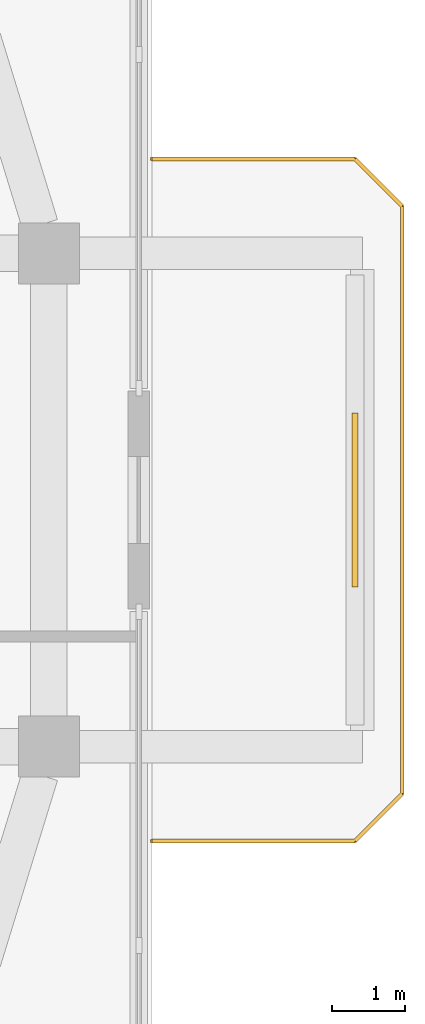
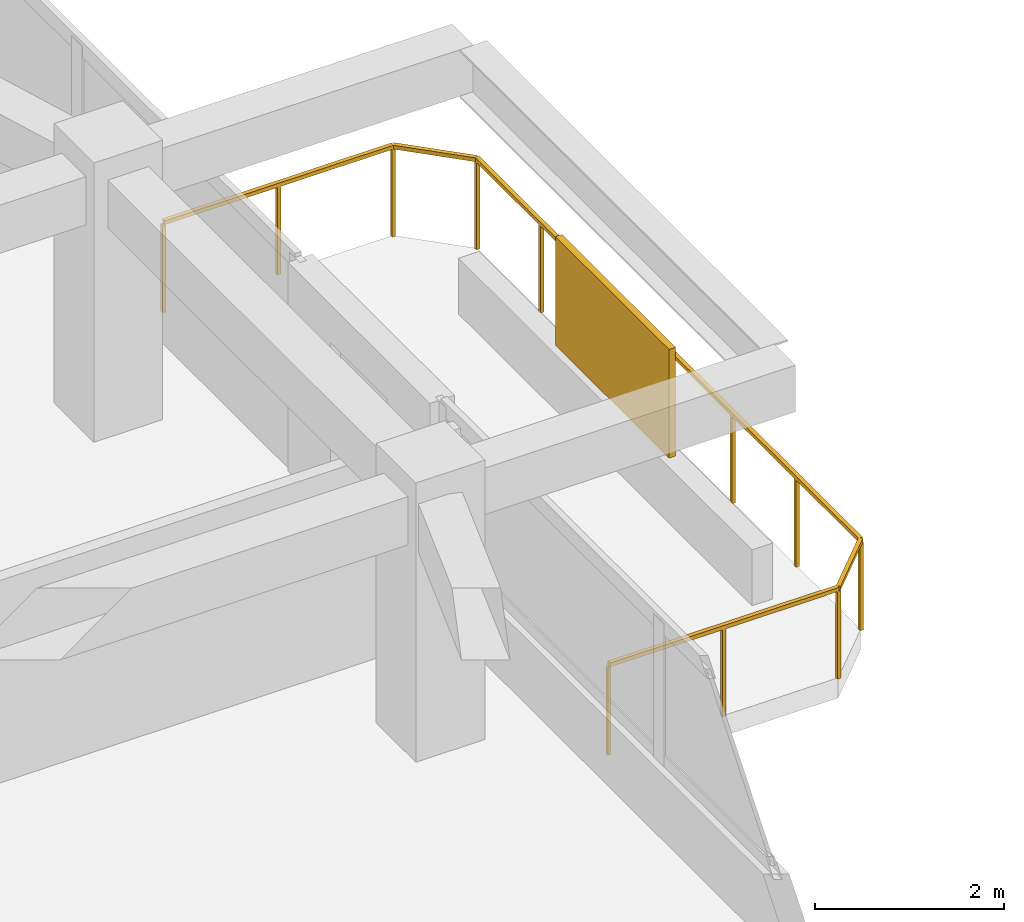
# One storey, part 14 of 14: 1 railing, 1 shading device.
"""IFC4 building model written with IfcOpenShell, lengths in metres."""

import ifcopenshell
import ifcopenshell.guid

model = None  # the IFC model being written
_history = None  # IfcOwnerHistory: only IFC2X3 demands one
_inside = {}  # id of a spatial element -> (the spatial element, [elements in it])
_under = {}  # id of a project, library or spatial element -> (it, [spatial elements below it])
_declared = {}  # id of a project -> (the project, [libraries it declares])
_typed = {}  # id of a type object -> (the type object, [elements of that type])
_made_of = {}  # id of a material, layer set ... -> (it, [elements and type objects made of it])


def new_model(schema):
    """Start an empty IFC model of exactly this schema.

    Asked for "IFC4X3", IfcOpenShell would pick the latest addendum, in which some entities
    have other attributes; the version numbers below select the first issue.
    IFC2X3 requires an IfcOwnerHistory on every rooted entity: one is made here for all.
    """
    global model, _history
    if schema == "IFC4X3":
        model = ifcopenshell.file(schema_version=(4, 3, 0, 0))
    else:
        model = ifcopenshell.file(schema=schema)
    _inside.clear()
    _under.clear()
    _declared.clear()
    _typed.clear()
    _made_of.clear()
    _history = None
    if model.schema == "IFC2X3":
        org = make("IfcOrganization", Name="unknown")
        user = make(
            "IfcPersonAndOrganization",
            ThePerson=make("IfcPerson", FamilyName="unknown"),
            TheOrganization=org,
        )
        app = make(
            "IfcApplication",
            ApplicationDeveloper=org,
            Version="unknown",
            ApplicationFullName="unknown",
            ApplicationIdentifier="unknown",
        )
        _history = make(
            "IfcOwnerHistory",
            OwningUser=user,
            OwningApplication=app,
            ChangeAction="ADDED",
            CreationDate=0,
        )
    return model


def make(cls, **values):
    """One entity of the class cls with the attributes given. An attribute that is None is left unset."""
    return model.create_entity(
        cls, **{name: value for name, value in values.items() if value is not None}
    )


def rooted(cls, **values):
    """An entity with a GlobalId (a new one), such as an element, a storey or a relation."""
    return make(cls, GlobalId=ifcopenshell.guid.new(), OwnerHistory=_history, **values)


def si_unit(unit_type, name, prefix=None):
    """IfcSIUnit, for example si_unit("LENGTHUNIT", "METRE", prefix="MILLI")."""
    return make("IfcSIUnit", UnitType=unit_type, Prefix=prefix, Name=name)


def derived_unit(unit_type, elements):
    """IfcDerivedUnit: a product of units, each with its exponent."""
    return make(
        "IfcDerivedUnit",
        Elements=[
            make("IfcDerivedUnitElement", Unit=unit, Exponent=power)
            for unit, power in elements
        ],
        UnitType=unit_type,
    )


def assignment(units):
    """IfcUnitAssignment: the units of a project."""
    return None if units is None else make("IfcUnitAssignment", Units=units)


def point(xyz):
    """IfcCartesianPoint."""
    return None if xyz is None else make("IfcCartesianPoint", Coordinates=xyz)


def direction(xyz):
    """IfcDirection."""
    return None if xyz is None else make("IfcDirection", DirectionRatios=xyz)


def frame(location, z_axis=None, x_axis=None):
    """IfcAxis2Placement3D, a coordinate frame: its origin and axes. An axis left out is left unset."""
    return make(
        "IfcAxis2Placement3D",
        Location=point(location),
        Axis=direction(z_axis),
        RefDirection=direction(x_axis),
    )


def frame_2d(location, x_axis=None):
    """IfcAxis2Placement2D, a coordinate frame in the plane: its origin and x axis."""
    return make(
        "IfcAxis2Placement2D", Location=point(location), RefDirection=direction(x_axis)
    )


def origin():
    """The frame at (0, 0, 0) with its axes left unset."""
    return frame((0.0, 0.0, 0.0))


def origin_2d():
    """The frame at (0, 0) in the plane with its x axis left unset."""
    return frame_2d((0.0, 0.0))


def place(relative_to, where):
    """IfcLocalPlacement: puts the frame where relative to a parent placement (None: the world)."""
    return make(
        "IfcLocalPlacement", PlacementRelTo=relative_to, RelativePlacement=where
    )


def context(
    kind, dimensions, precision=None, world=None, true_north=None, identifier=None
):
    """IfcGeometricRepresentationContext, for example the 3D "Model" context."""
    return make(
        "IfcGeometricRepresentationContext",
        ContextIdentifier=identifier,
        ContextType=kind,
        CoordinateSpaceDimension=dimensions,
        Precision=precision,
        WorldCoordinateSystem=world,
        TrueNorth=true_north,
    )


def subcontext(parent, identifier, kind, view, scale=None):
    """IfcGeometricRepresentationSubContext, for example "Body" below "Model"."""
    return make(
        "IfcGeometricRepresentationSubContext",
        ContextIdentifier=identifier,
        ContextType=kind,
        ParentContext=parent,
        TargetScale=scale,
        TargetView=view,
    )


def project(units=None, contexts=None):
    """IfcProject with its units and contexts."""
    return rooted(
        "IfcProject",
        Name="project",
        RepresentationContexts=contexts,
        UnitsInContext=assignment(units),
    )


def spatial(cls, under=None, at=None, **own):
    """A site, building, storey or space (cls), placed at a placement, below another one or the project."""
    s = rooted(cls, ObjectPlacement=at, **own)
    if under is not None:
        _under.setdefault(under.id(), (under, []))[1].append(s)
    return s


def profile(cls, at=None, kind="AREA", **sizes):
    """A parametric profile (cls). Its sizes go by their IFC names, for example OverallWidth=200.0."""
    return make(cls, ProfileType=kind, Position=at, **sizes)


def rectangle(**sizes):
    """IfcRectangleProfileDef."""
    return profile("IfcRectangleProfileDef", **sizes)


def extrude(swept, where, along, depth):
    """IfcExtrudedAreaSolid: the profile swept, set in the frame where, extruded along a direction by depth."""
    return make(
        "IfcExtrudedAreaSolid",
        SweptArea=swept,
        Position=where,
        ExtrudedDirection=direction(along),
        Depth=depth,
    )


def shape(context_of_items, identifier, shape_type, items):
    """IfcShapeRepresentation: the items that make up one representation, for example the "Body"."""
    return make(
        "IfcShapeRepresentation",
        ContextOfItems=context_of_items,
        RepresentationIdentifier=identifier,
        RepresentationType=shape_type,
        Items=items,
    )


def material(Name=None, Category=None):
    """IfcMaterial."""
    return make("IfcMaterial", Name=Name, Category=Category)


def layer(
    of_material, thickness, ventilated=None, Name=None, Category=None, Priority=None
):
    """IfcMaterialLayer: one layer of a wall or slab, of a material (None: an air gap)."""
    return make(
        "IfcMaterialLayer",
        Material=of_material,
        LayerThickness=thickness,
        IsVentilated=ventilated,
        Name=Name,
        Category=Category,
        Priority=Priority,
    )


def layer_set(layers, Name=None):
    """IfcMaterialLayerSet."""
    return make("IfcMaterialLayerSet", MaterialLayers=layers, LayerSetName=Name)


def made_of(thing, what):
    """Note that an element or type object is made of a material, layer set ...; save() writes the relation."""
    if what is not None:
        _made_of.setdefault(what.id(), (what, []))[1].append(thing)
    return thing


def type_object(cls, material=None, **own):
    """A type object (cls), such as IfcWallType, which elements share."""
    return made_of(rooted(cls, **own), material)


def element(
    cls,
    number,
    at=None,
    inside=None,
    cuts=None,
    type_object=None,
    material=None,
    context=None,
    identifier="Body",
    shape_type=None,
    held_by="IfcProductDefinitionShape",
    body=None,
    shapes=None,
    **own,
):
    """One element of the class cls, such as IfcWall. Its Tag is "e" and its number.

    at: its placement. inside: the storey or other place that contains it. cuts: it is an
    opening in that element (IfcRelVoidsElement). A single representation is given by context,
    identifier, shape_type and body (its items); several are given by shapes. held_by: the class
    of the entity that holds the representations. save() writes the other relations.
    """
    e = rooted(cls, Tag="e%d" % number, ObjectPlacement=at, **own)
    if body is not None:
        shapes = [shape(context, identifier, shape_type, body)]
    if shapes is not None:
        e.Representation = make(held_by, Representations=shapes)
    if inside is not None:
        _inside.setdefault(inside.id(), (inside, []))[1].append(e)
    if cuts is not None:
        rooted(
            "IfcRelVoidsElement", RelatingBuildingElement=cuts, RelatedOpeningElement=e
        )
    if type_object is not None:
        _typed.setdefault(type_object.id(), (type_object, []))[1].append(e)
    return made_of(e, material)


def aggregate(whole, parts):
    """IfcRelAggregates: a whole, such as a stair, and the parts it consists of."""
    return rooted("IfcRelAggregates", RelatingObject=whole, RelatedObjects=parts)


def save(model, path):
    """Write the relations noted so far, then the file.

    IfcRelAggregates (storeys below a building ...), IfcRelContainedInSpatialStructure (elements
    in a storey), IfcRelDefinesByType, IfcRelAssociatesMaterial and IfcRelDeclares: one each for
    every whole, place, type object, material and project.
    """
    for whole, parts in _under.values():
        aggregate(whole, parts)
    for where, things in _inside.values():
        rooted(
            "IfcRelContainedInSpatialStructure",
            RelatedElements=things,
            RelatingStructure=where,
        )
    for kind, things in _typed.values():
        rooted("IfcRelDefinesByType", RelatedObjects=things, RelatingType=kind)
    for what, things in _made_of.values():
        rooted("IfcRelAssociatesMaterial", RelatedObjects=things, RelatingMaterial=what)
    for by, libraries in _declared.values():
        rooted("IfcRelDeclares", RelatingContext=by, RelatedDefinitions=libraries)
    model.write(path)


model = new_model("IFC4")

# Units and contexts
model_context = context("Model", 3, precision=1e-05, world=origin(), true_north=direction((0.0, 1.0)))
body_context = subcontext(model_context, "Body", "Model", "MODEL_VIEW")
ifc_project = project(units=[si_unit("LENGTHUNIT", "METRE"), si_unit("AREAUNIT", "SQUARE_METRE"), si_unit("VOLUMEUNIT", "CUBIC_METRE"), si_unit("PLANEANGLEUNIT", "RADIAN"), si_unit("MASSUNIT", "GRAM", prefix="KILO"), derived_unit("THERMALTRANSMITTANCEUNIT", [(si_unit("POWERUNIT", "WATT"), 1), (si_unit("LENGTHUNIT", "METRE"), -2), (si_unit("THERMODYNAMICTEMPERATUREUNIT", "KELVIN"), -1)])], contexts=[model_context])

# Site, building, storey
site_placement = place(None, origin())
site = spatial("IfcSite", under=ifc_project, at=site_placement, CompositionType="ELEMENT")
building_placement = place(site_placement, origin())
building = spatial("IfcBuilding", under=site, at=building_placement, Name="Koralith Skygarden Medical Center", CompositionType="ELEMENT")
storey_placement = place(building_placement, frame((0.0, 0.0, 242.820068359375)))
storey = spatial("IfcBuildingStorey", under=building, at=storey_placement, Name="L62", CompositionType="ELEMENT", Elevation=242.820068359375)

# Railing
ifc_material_1 = material(Name="Steel ASTM A500 Grade C", Category="steel")
railing_type = type_object("IfcRailingType", Name="Outdoor Terrace & Balcony Safety Guardrail 1180", PredefinedType="GUARDRAIL", material=ifc_material_1)
railing_placement = place(storey_placement, frame((61.89990234375, 21.199951171875, 0.0)))
element("IfcRailing", 1, at=railing_placement, inside=storey, type_object=railing_type, Name="L62 E Balcony Perimeter Guardrail", PredefinedType="GUARDRAIL", context=body_context, shape_type="SweptSolid", body=[
    extrude(rectangle(XDim=0.050048828125, YDim=0.050048828125, at=origin_2d()), frame((0.001953125, 0.0, 1.15478515625), z_axis=(1.0, 0.0, 0.0), x_axis=(0.0, 1.0, 0.0)), (0.0, 0.0, 1.0), 2.796142578125),
    extrude(rectangle(XDim=0.050048828125, YDim=0.050048828125, at=origin_2d()), frame((2.801513671875, 0.00146484375, 1.15478515625), z_axis=(0.707106781187, 0.707106781187, 0.0), x_axis=(-0.707106781187, 0.707106781187, 0.0)), (0.0, 0.0, 1.0), 0.91552734375),
    extrude(rectangle(XDim=0.050048828125, YDim=0.050048828125, at=origin_2d()), frame((3.4501953125, 0.652099609375, 1.15478515625), z_axis=(0.0, 1.0, 0.0), x_axis=(-1.0, 0.0, 0.0)), (0.0, 0.0, 1.0), 8.095947265625),
    extrude(rectangle(XDim=0.050048828125, YDim=0.050048828125, at=origin_2d()), frame((3.44873046875, 8.75146484375, 1.15478515625), z_axis=(-0.707106781187, 0.707106781187, 0.0), x_axis=(-0.707106781187, -0.707106781187, 0.0)), (0.0, 0.0, 1.0), 0.91552734375),
    extrude(rectangle(XDim=0.050048828125, YDim=0.050048828125, at=origin_2d()), frame((2.798095703125, 9.400146484375, 1.15478515625), z_axis=(-1.0, 0.0, 0.0), x_axis=(0.0, -1.0, 0.0)), (0.0, 0.0, 1.0), 2.796142578125),
    extrude(rectangle(XDim=0.0419921875, YDim=0.0419921875, at=origin_2d()), origin(), (0.0, 0.0, 1.0), 1.1279296875),
    extrude(rectangle(XDim=0.0419921875, YDim=0.0419921875, at=origin_2d()), frame((1.39990234375, 0.0, 0.0)), (0.0, 0.0, 1.0), 1.1279296875),
    extrude(rectangle(XDim=0.0419921875, YDim=0.0419921875, at=origin_2d()), frame((2.800048828125, 0.0, 0.0)), (0.0, 0.0, 1.0), 1.1279296875),
    extrude(rectangle(XDim=0.0419921875, YDim=0.0419921875, at=origin_2d()), frame((3.4501953125, 0.650146484375, 0.0)), (0.0, 0.0, 1.0), 1.1279296875),
    extrude(rectangle(XDim=0.0419921875, YDim=0.0419921875, at=origin_2d()), frame((3.4501953125, 2.0, 0.0)), (0.0, 0.0, 1.0), 1.1279296875),
    extrude(rectangle(XDim=0.0419921875, YDim=0.0419921875, at=origin_2d()), frame((3.4501953125, 3.35009765625, 0.0)), (0.0, 0.0, 1.0), 1.1279296875),
    extrude(rectangle(XDim=0.0419921875, YDim=0.0419921875, at=origin_2d()), frame((3.4501953125, 4.7001953125, 0.0)), (0.0, 0.0, 1.0), 1.1279296875),
    extrude(rectangle(XDim=0.0419921875, YDim=0.0419921875, at=origin_2d()), frame((3.4501953125, 6.050048828125, 0.0)), (0.0, 0.0, 1.0), 1.1279296875),
    extrude(rectangle(XDim=0.0419921875, YDim=0.0419921875, at=origin_2d()), frame((3.4501953125, 7.39990234375, 0.0)), (0.0, 0.0, 1.0), 1.1279296875),
    extrude(rectangle(XDim=0.0419921875, YDim=0.0419921875, at=origin_2d()), frame((3.4501953125, 8.75, 0.0)), (0.0, 0.0, 1.0), 1.1279296875),
    extrude(rectangle(XDim=0.0419921875, YDim=0.0419921875, at=origin_2d()), frame((2.800048828125, 9.400146484375, 0.0)), (0.0, 0.0, 1.0), 1.1279296875),
    extrude(rectangle(XDim=0.0419921875, YDim=0.0419921875, at=origin_2d()), frame((1.39990234375, 9.400146484375, 0.0)), (0.0, 0.0, 1.0), 1.1279296875),
    extrude(rectangle(XDim=0.0419921875, YDim=0.0419921875, at=origin_2d()), frame((0.0, 9.400146484375, 0.0)), (0.0, 0.0, 1.0), 1.1279296875),
])

# Shading device
ifc_material_2 = material(Name="Aluminium 6063-T6", Category="aluminium")
ifc_layer = layer(ifc_material_2, 0.080078125)
ifc_layer_set = layer_set([ifc_layer], Name="Aluminium 6063-T6")
shading_device_type = type_object("IfcShadingDeviceType", Name="Perforated Biophilic Balcony Trellis Screen", PredefinedType="USERDEFINED", material=ifc_layer_set)
shading_device_placement = place(storey_placement, frame((64.699951171875, 25.89990234375, 0.719970703125), z_axis=(0.0, 0.0, 1.0), x_axis=(0.0, 1.0, 0.0)))
element("IfcShadingDevice", 2, at=shading_device_placement, inside=storey, type_object=shading_device_type, Name="L62 E Biophilic Balcony Trellis Screen", ObjectType="HURRICANE SCREEN", PredefinedType="USERDEFINED", context=body_context, shape_type="SweptSolid", body=[
    extrude(rectangle(XDim=2.39990234375, YDim=0.080078125, at=origin_2d()), origin(), (0.0, 0.0, 1.0), 1.39990234375),
])

save(model, "model.ifc")
